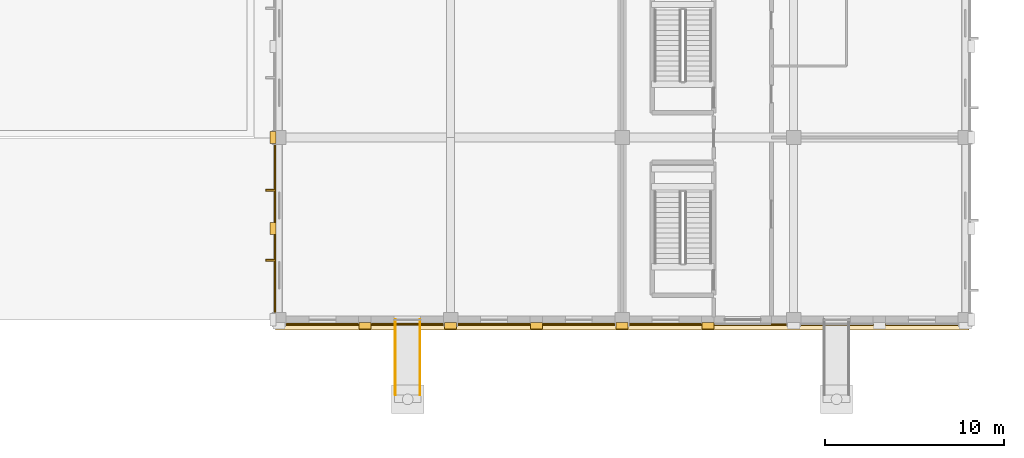
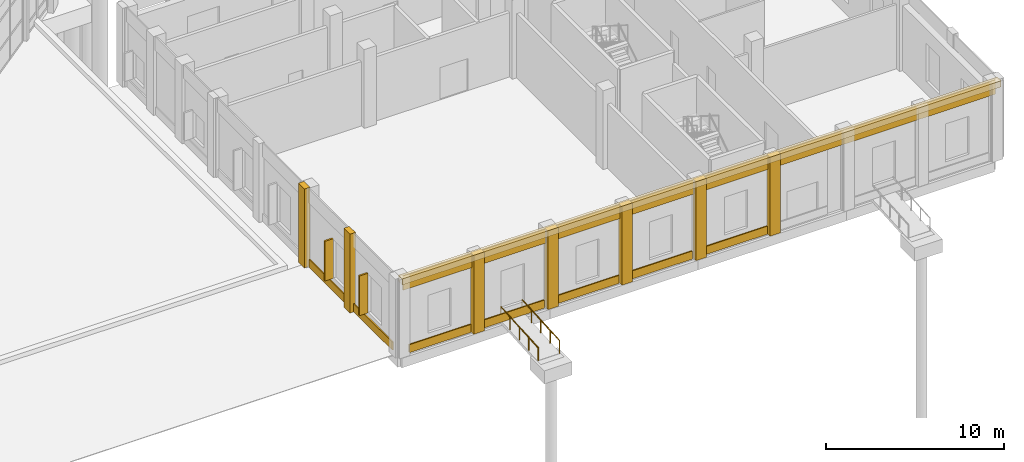
# One storey, part 132 of 137: 15 coverings, 2 railings, 2 shading devices.
"""IFC4 building model written with IfcOpenShell, lengths in metres."""

from ifc_helpers import new_model, si_unit, direction, frame, origin, origin_2d, place, context, subcontext, project, spatial, rectangle, circle, extrude, material, layer, layer_set, type_object, element, save


model = new_model("IFC4")

# Units and contexts
model_context = context("Model", 3, precision=1e-05, world=origin(), true_north=direction((0.0, 1.0)))
body_context = subcontext(model_context, "Body", "Model", "MODEL_VIEW")
ifc_project = project(units=[si_unit("LENGTHUNIT", "METRE"), si_unit("AREAUNIT", "SQUARE_METRE"), si_unit("VOLUMEUNIT", "CUBIC_METRE"), si_unit("PLANEANGLEUNIT", "RADIAN"), si_unit("MASSUNIT", "GRAM", prefix="KILO")], contexts=[model_context])

# Site, building, storey
site_placement = place(None, origin())
site = spatial("IfcSite", under=ifc_project, at=site_placement, CompositionType="ELEMENT")
building_placement = place(site_placement, origin())
building = spatial("IfcBuilding", under=site, at=building_placement, Name="Vondelvale Polytechnic", CompositionType="ELEMENT")
storey_placement = place(building_placement, origin())
storey = spatial("IfcBuildingStorey", under=building, at=storey_placement, Name="L00", CompositionType="ELEMENT", Elevation=0.0)

# Coverings
ifc_material_1 = material(Name="Malmsbury bluestone ashlar stone masonry", Category="masonry")
ifc_layer_1 = layer(ifc_material_1, 0.080078125)
ifc_layer_set_1 = layer_set([ifc_layer_1], Name="COV-BLUESTONE-PLINTH")
covering_type = type_object("IfcCoveringType", Name="COV-BLUESTONE-PLINTH", PredefinedType="CLADDING", material=ifc_layer_set_1)
covering_1_placement = place(storey_placement, frame((153.60009765625, -0.260009765625, 4.43994140625), z_axis=(0.0, 0.0, 1.0), x_axis=(1.0, 0.0, 0.0)))
element("IfcCovering", 1, at=covering_1_placement, inside=storey, type_object=covering_type, Name="L00 exterior masonry spandrel band", PredefinedType="CLADDING", context=body_context, shape_type="SweptSolid", body=[
    extrude(rectangle(XDim=38.39990234375, YDim=0.080078125, at=origin_2d()), origin(), (0.0, 0.0, 1.0), 0.9599609375),
])
for number, where, z_axis, x_axis, name in (
    (2, (136.824951171875, -0.236083984375, 0.0), (0.0, 0.0, 1.0), (-1.0, 0.0, 0.0), "L00 exterior corbelled masonry relief band"),
    (3, (141.574951171875, -0.236083984375, 0.0), (0.0, 0.0, 1.0), (-1.0, 0.0, 0.0), "L00 exterior corbelled masonry relief band"),
    (4, (146.425048828125, -0.236083984375, 0.0), (0.0, 0.0, 1.0), (-1.0, 0.0, 0.0), "L00 exterior corbelled masonry relief band"),
    (5, (151.175048828125, -0.236083984375, 0.0), (0.0, 0.0, 1.0), (-1.0, 0.0, 0.0), "L00 exterior corbelled masonry relief band"),
    (6, (156.02490234375, -0.236083984375, 0.0), (0.0, 0.0, 1.0), (-1.0, 0.0, 0.0), "L00 exterior corbelled masonry relief band"),
):
    element("IfcCovering", number, at=place(storey_placement, frame(where, z_axis=z_axis, x_axis=x_axis)), inside=storey, type_object=covering_type, Name=name, PredefinedType="CLADDING", context=body_context, shape_type="SweptSolid", body=[
        extrude(rectangle(XDim=3.988037109375, YDim=0.080078125, at=origin_2d()), origin(), (0.0, 0.0, 1.0), 0.550048828125),
    ])
covering_2_placement = place(storey_placement, frame((134.1640625, 5.10009765625, 0.0), z_axis=(0.0, 0.0, 1.0), x_axis=(0.0, 1.0, 0.0)))
element("IfcCovering", 7, at=covering_2_placement, inside=storey, type_object=covering_type, Name="L00 exterior corbelled masonry relief band", PredefinedType="CLADDING", context=body_context, shape_type="SweptSolid", body=[
    extrude(rectangle(XDim=9.337890625, YDim=0.080078125, at=origin_2d()), origin(), (0.0, 0.0, 1.0), 0.550048828125),
])
for number, where, z_axis, x_axis, name in (
    (8, (139.199951171875, -0.340087890625, 0.0), (0.0, 0.0, 1.0), (1.0, 0.0, 0.0), "L00 Lecture wing giant-order pilaster S"),
    (9, (144.0, -0.340087890625, 0.0), (0.0, 0.0, 1.0), (1.0, 0.0, 0.0), "L00 Lecture wing giant-order pilaster S"),
    (10, (148.800048828125, -0.340087890625, 0.0), (0.0, 0.0, 1.0), (1.0, 0.0, 0.0), "L00 Lecture wing giant-order pilaster S"),
    (11, (153.60009765625, -0.340087890625, 0.0), (0.0, 0.0, 1.0), (1.0, 0.0, 0.0), "L00 Lecture wing giant-order pilaster S"),
    (12, (158.39990234375, -0.340087890625, 0.0), (0.0, 0.0, 1.0), (1.0, 0.0, 0.0), "L00 Lecture wing giant-order pilaster S"),
):
    element("IfcCovering", number, at=place(storey_placement, frame(where, z_axis=z_axis, x_axis=x_axis)), inside=storey, type_object=covering_type, Name=name, PredefinedType="CLADDING", context=body_context, shape_type="SweptSolid", body=[
        extrude(rectangle(XDim=0.679931640625, YDim=0.360107421875, at=origin_2d()), origin(), (0.0, 0.0, 1.0), 5.39990234375),
    ])
for number, where, z_axis, x_axis, name in (
    (13, (134.06005859375, 5.10009765625, 0.0), (0.0, 0.0, 1.0), (1.0, 0.0, 0.0), "L00 Lecture wing giant-order pilaster W"),
    (14, (134.06005859375, 10.199951171875, 0.0), (0.0, 0.0, 1.0), (1.0, 0.0, 0.0), "L00 Lecture wing giant-order pilaster W"),
):
    element("IfcCovering", number, at=place(storey_placement, frame(where, z_axis=z_axis, x_axis=x_axis)), inside=storey, type_object=covering_type, Name=name, PredefinedType="CLADDING", context=body_context, shape_type="SweptSolid", body=[
        extrude(rectangle(XDim=0.360107421875, YDim=0.679931640625, at=origin_2d()), origin(), (0.0, 0.0, 1.0), 5.39990234375),
    ])
covering_3_placement = place(storey_placement, frame((153.60009765625, -0.360107421875, 5.0400390625), z_axis=(0.0, 0.0, 1.0), x_axis=(1.0, 0.0, 0.0)))
element("IfcCovering", 15, at=covering_3_placement, inside=storey, type_object=covering_type, Name="L00 Lecture wing bluestone plinth cornice S", PredefinedType="CLADDING", context=body_context, shape_type="SweptSolid", body=[
    extrude(rectangle(XDim=38.800048828125, YDim=0.43994140625, at=origin_2d()), origin(), (0.0, 0.0, 1.0), 0.419921875),
])

# Railings
ifc_material_2 = material(Name="Brushed architectural stainless and zinc-coated metal")
ifc_layer_2 = layer(ifc_material_2, 0.048095703125)
ifc_layer_set_2 = layer_set([ifc_layer_2], Name="RL-STAIR-HANDRAIL")
railing_type = type_object("IfcRailingType", Name="RL-STAIR-HANDRAIL", PredefinedType="HANDRAIL", material=ifc_layer_set_2)
for number, where, name in (
    (16, (140.909912109375, -4.199951171875, -0.280029296875), "Ramp handrail RMP-03-1"),
    (17, (142.2900390625, -4.199951171875, -0.280029296875), "Ramp handrail RMP-03-2"),
):
    element("IfcRailing", number, at=place(storey_placement, frame(where)), inside=storey, type_object=railing_type, Name=name, PredefinedType="HANDRAIL", context=body_context, shape_type="SweptSolid", body=[
        extrude(circle(Radius=0.02392578125, at=origin_2d()), frame((0.0, 0.0, 0.8759765625), z_axis=(0.0, 0.997784644547, 0.066526709719), x_axis=(-1.0, 0.0, 0.0)), (0.0, 0.0, 1.0), 4.209228515625),
        extrude(circle(Radius=0.02099609375, at=origin_2d()), origin(), (0.0, 0.0, 1.0), 0.851806640625),
        extrude(circle(Radius=0.02099609375, at=origin_2d()), frame((0.0, 1.050048828125, 0.070068359375)), (0.0, 0.0, 1.0), 0.851806640625),
        extrude(circle(Radius=0.02099609375, at=origin_2d()), frame((0.0, 2.10009765625, 0.14013671875)), (0.0, 0.0, 1.0), 0.851806640625),
        extrude(circle(Radius=0.02099609375, at=origin_2d()), frame((0.0, 3.14990234375, 0.2099609375)), (0.0, 0.0, 1.0), 0.851806640625),
        extrude(circle(Radius=0.02099609375, at=origin_2d()), frame((0.0, 4.199951171875, 0.280029296875)), (0.0, 0.0, 1.0), 0.851806640625),
    ])

# Shading devices
ifc_material_3 = material(Name="Kiln-fired architectural terracotta", Category="masonry")
shading_device_type = type_object("IfcShadingDeviceType", Name="SHD-TERRA-FIN-550", PredefinedType="JALOUSIE", material=ifc_material_3)
for number, where, z_axis, x_axis, name in (
    (18, (133.93994140625, 3.341064453125, 0.7900390625), (0.0, 0.0, 1.0), (0.0, 1.0, 0.0), "L00 vertical terracotta solar fin"),
    (19, (133.93994140625, 7.240966796875, 0.7900390625), (0.0, 0.0, 1.0), (0.0, 1.0, 0.0), "L00 vertical terracotta solar fin"),
):
    element("IfcShadingDevice", number, at=place(storey_placement, frame(where, z_axis=z_axis, x_axis=x_axis)), inside=storey, type_object=shading_device_type, Name=name, PredefinedType="JALOUSIE", context=body_context, shape_type="SweptSolid", body=[
        extrude(rectangle(XDim=0.110107421875, YDim=0.550048828125, at=origin_2d()), origin(), (0.0, 0.0, 1.0), 2.719970703125),
    ])

save(model, "model.ifc")
